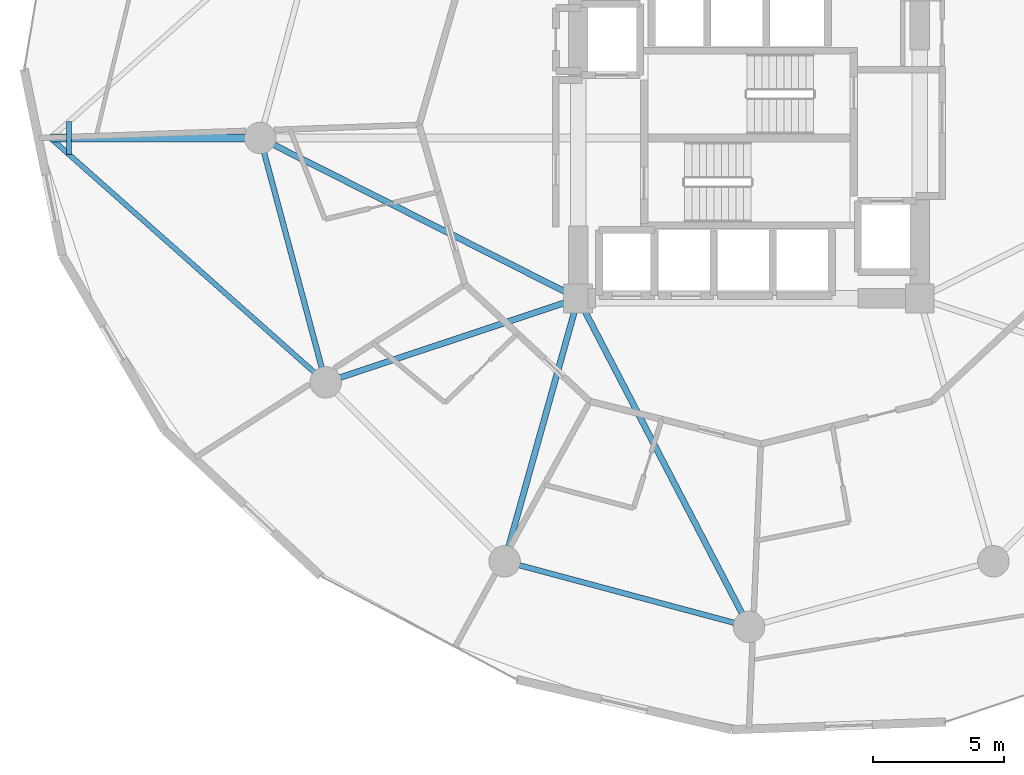
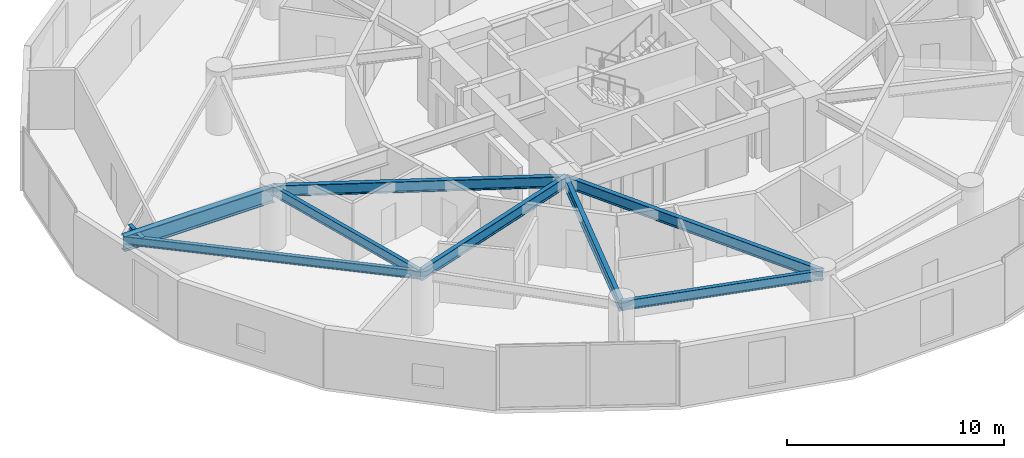
# One storey, part 3 of 23: 9 beams.
"""IFC4 building model written with IfcOpenShell, lengths in metres."""

from ifc_helpers import new_model, si_unit, direction, frame, origin, origin_2d, place, context, subcontext, project, spatial, i_section, extrude, material, material_profile, profile_set, type_object, element, save


model = new_model("IFC4")

# Units and contexts
model_context = context("Model", 3, precision=1e-05, world=origin(), true_north=direction((0.0, 1.0)))
body_context = subcontext(model_context, "Body", "Model", "MODEL_VIEW")
ifc_project = project(units=[si_unit("LENGTHUNIT", "METRE"), si_unit("AREAUNIT", "SQUARE_METRE"), si_unit("VOLUMEUNIT", "CUBIC_METRE"), si_unit("PLANEANGLEUNIT", "RADIAN"), si_unit("MASSUNIT", "GRAM", prefix="KILO")], contexts=[model_context])

# Site, building, storey
site_placement = place(None, origin())
site = spatial("IfcSite", under=ifc_project, at=site_placement, CompositionType="ELEMENT")
building_placement = place(site_placement, origin())
building = spatial("IfcBuilding", under=site, at=building_placement, Name="Solvirekh Grand Hotel", CompositionType="ELEMENT")
storey_placement = place(building_placement, frame((0.0, 0.0, 75.199951171875)))
storey = spatial("IfcBuildingStorey", under=building, at=storey_placement, Name="L18", CompositionType="ELEMENT", Elevation=75.199951171875)

# Beams
ifc_material_1 = material(Name="Steel S460", Category="steel")
ifc_material_profile_1 = material_profile(ifc_material_1, i_section(OverallWidth=0.302001953125, OverallDepth=0.85498046875, WebThickness=0.01904296875, FlangeThickness=0.032958984375, FilletRadius=0.01806640625, at=origin_2d()), Name="W840X299")
ifc_profile_set_1 = profile_set([ifc_material_profile_1], Name="Steel S460")
beam_type_1 = type_object("IfcBeamType", Name="Beam_PoolTie_W840", PredefinedType="BEAM", material=ifc_profile_set_1)
beam_1_placement = place(storey_placement, frame((-18.60009765625, 0.0, 2.862060546875), z_axis=(-1.0, 0.0, 0.0), x_axis=(0.0, -1.0, 0.0)))
element("IfcBeam", 1, at=beam_1_placement, inside=storey, type_object=beam_type_1, Name="L19 sky-garden primary cantilever bracket", PredefinedType="BEAM", context=body_context, shape_type="SweptSolid", body=[
    extrude(i_section(OverallWidth=0.302001953125, OverallDepth=0.85498046875, WebThickness=0.01904296875, FlangeThickness=0.032958984375, FilletRadius=0.01806640625, at=origin_2d()), origin(), (0.0, 0.0, 1.0), 7.97998046875),
])
ifc_material_2 = material(Name="Steel S355", Category="steel")
ifc_material_profile_2 = material_profile(ifc_material_2, i_section(OverallWidth=0.22998046875, OverallDepth=0.615966796875, WebThickness=0.013916015625, FlangeThickness=0.02392578125, FilletRadius=0.014892578125, at=origin_2d()), Name="W610X174")
ifc_profile_set_2 = profile_set([ifc_material_profile_2], Name="Steel S355")
beam_type_2 = type_object("IfcBeamType", Name="Beam_Primary_W610H", PredefinedType="BEAM", material=ifc_profile_set_2)
beam_2_placement = place(storey_placement, frame((-6.5, -6.10009765625, 3.031982421875), z_axis=(-0.892944939011, 0.450165898191, 0.0), x_axis=(-0.450165898191, -0.892944939011, 0.0)))
element("IfcBeam", 2, at=beam_2_placement, inside=storey, type_object=beam_type_2, Name="L18 radial floor beam R07", PredefinedType="BEAM", context=body_context, shape_type="SweptSolid", body=[
    extrude(i_section(OverallWidth=0.22998046875, OverallDepth=0.615966796875, WebThickness=0.013916015625, FlangeThickness=0.02392578125, FilletRadius=0.014892578125, at=origin_2d()), origin(), (0.0, 0.0, 1.0), 13.55078125),
])
beam_3_placement = place(storey_placement, frame((-6.5, -6.10009765625, 3.031982421875), z_axis=(-0.948762825819, -0.315989082635, 0.0), x_axis=(0.315989082635, -0.948762825819, 0.0)))
element("IfcBeam", 3, at=beam_3_placement, inside=storey, type_object=beam_type_2, Name="L18 radial floor beam R08", PredefinedType="BEAM", context=body_context, shape_type="SweptSolid", body=[
    extrude(i_section(OverallWidth=0.22998046875, OverallDepth=0.615966796875, WebThickness=0.013916015625, FlangeThickness=0.02392578125, FilletRadius=0.014892578125, at=origin_2d()), origin(), (0.0, 0.0, 1.0), 10.126708984375),
])
beam_4_placement = place(storey_placement, frame((-6.5, -6.10009765625, 3.031982421875), z_axis=(-0.269439084681, -0.963017434757, 0.0), x_axis=(0.963017434757, -0.269439084681, 0.0)))
element("IfcBeam", 4, at=beam_4_placement, inside=storey, type_object=beam_type_2, Name="L18 radial floor beam R09", PredefinedType="BEAM", context=body_context, shape_type="SweptSolid", body=[
    extrude(i_section(OverallWidth=0.22998046875, OverallDepth=0.615966796875, WebThickness=0.013916015625, FlangeThickness=0.02392578125, FilletRadius=0.014892578125, at=origin_2d()), origin(), (0.0, 0.0, 1.0), 10.39208984375),
])
beam_5_placement = place(storey_placement, frame((-6.5, -6.10009765625, 3.031982421875), z_axis=(0.461352736642, -0.887216801235, 0.0), x_axis=(0.887216801235, 0.461352736642, 0.0)))
element("IfcBeam", 5, at=beam_5_placement, inside=storey, type_object=beam_type_2, Name="L18 radial floor beam R10", PredefinedType="BEAM", context=body_context, shape_type="SweptSolid", body=[
    extrude(i_section(OverallWidth=0.22998046875, OverallDepth=0.615966796875, WebThickness=0.013916015625, FlangeThickness=0.02392578125, FilletRadius=0.014892578125, at=origin_2d()), origin(), (0.0, 0.0, 1.0), 14.089111328125),
])
ifc_material_profile_3 = material_profile(ifc_material_2, i_section(OverallWidth=0.194091796875, OverallDepth=0.468994140625, WebThickness=0.010986328125, FlangeThickness=0.01904296875, FilletRadius=0.012939453125, at=origin_2d()), Name="W460X106")
ifc_profile_set_3 = profile_set([ifc_material_profile_3], Name="Steel S355")
beam_type_3 = type_object("IfcBeamType", Name="Beam_Radial_W460H", PredefinedType="BEAM", material=ifc_profile_set_3)
beam_6_placement = place(storey_placement, frame((-16.10791015625, -9.300048828125, 3.054931640625), z_axis=(-0.747712190625, 0.664022951403, 0.0), x_axis=(-0.664022951403, -0.747712190625, 0.0)))
element("IfcBeam", 6, at=beam_6_placement, inside=storey, type_object=beam_type_3, Name="L19 sky-garden edge tie beam 2", PredefinedType="BEAM", context=body_context, shape_type="SweptSolid", body=[
    extrude(i_section(OverallWidth=0.194091796875, OverallDepth=0.468994140625, WebThickness=0.010986328125, FlangeThickness=0.01904296875, FilletRadius=0.012939453125, at=origin_2d()), origin(), (0.0, 0.0, 1.0), 14.005615234375),
])
beam_7_placement = place(storey_placement, frame((-25.8759765625, 0.625, 3.054931640625), z_axis=(0.0, -1.0, 0.0), x_axis=(1.0, 0.0, 0.0)))
element("IfcBeam", 7, at=beam_7_placement, inside=storey, type_object=beam_type_3, Name="L19 sky-garden outer cross trimmer", PredefinedType="BEAM", context=body_context, shape_type="SweptSolid", body=[
    extrude(i_section(OverallWidth=0.194091796875, OverallDepth=0.468994140625, WebThickness=0.010986328125, FlangeThickness=0.01904296875, FilletRadius=0.012939453125, at=origin_2d()), origin(), (0.0, 0.0, 1.0), 1.25),
])
ifc_material_profile_4 = material_profile(ifc_material_2, i_section(OverallWidth=0.208984375, OverallDepth=0.532958984375, WebThickness=0.010009765625, FlangeThickness=0.014892578125, FilletRadius=0.013916015625, at=origin_2d()), Name="W530X92")
ifc_profile_set_4 = profile_set([ifc_material_profile_4], Name="Steel S355")
beam_type_4 = type_object("IfcBeamType", Name="Spandrel_Ring_W530", PredefinedType="SPANDREL", material=ifc_profile_set_4)
for number, where, z_axis, x_axis, name in (
    (8, (-18.60009765625, 0.0, 3.073974609375), (0.258842973314, -0.965919414426, 0.0), (0.965919414426, 0.258842973314, 0.0), "L18 perimeter spandrel beam 7"),
    (9, (-9.300048828125, -16.10791015625, 3.073974609375), (0.965919414426, -0.258842973314, 0.0), (0.258842973314, 0.965919414426, 0.0), "L18 perimeter spandrel beam 9"),
):
    element("IfcBeam", number, at=place(storey_placement, frame(where, z_axis=z_axis, x_axis=x_axis)), inside=storey, type_object=beam_type_4, Name=name, PredefinedType="SPANDREL", context=body_context, shape_type="SweptSolid", body=[
        extrude(i_section(OverallWidth=0.208984375, OverallDepth=0.532958984375, WebThickness=0.010009765625, FlangeThickness=0.014892578125, FilletRadius=0.013916015625, at=origin_2d()), origin(), (0.0, 0.0, 1.0), 9.628173828125),
    ])

save(model, "model.ifc")
